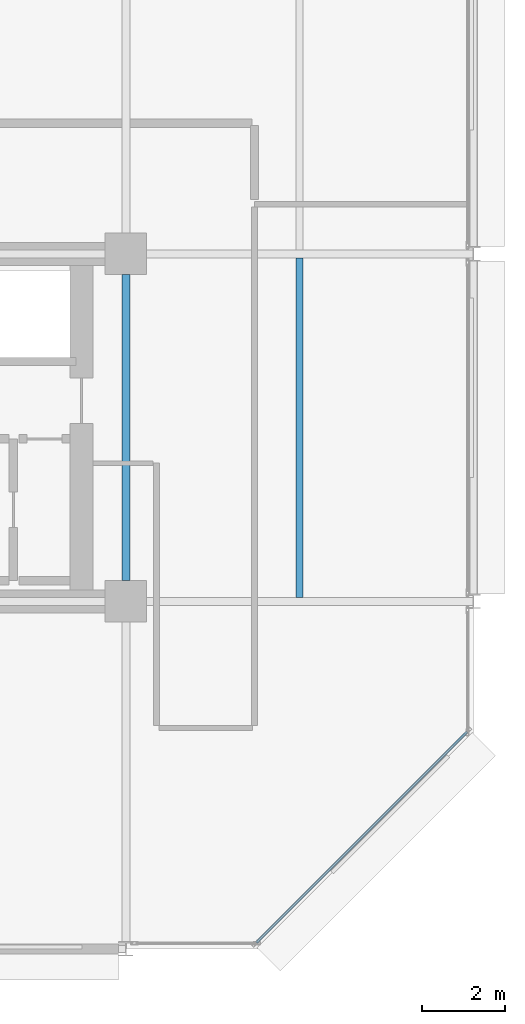
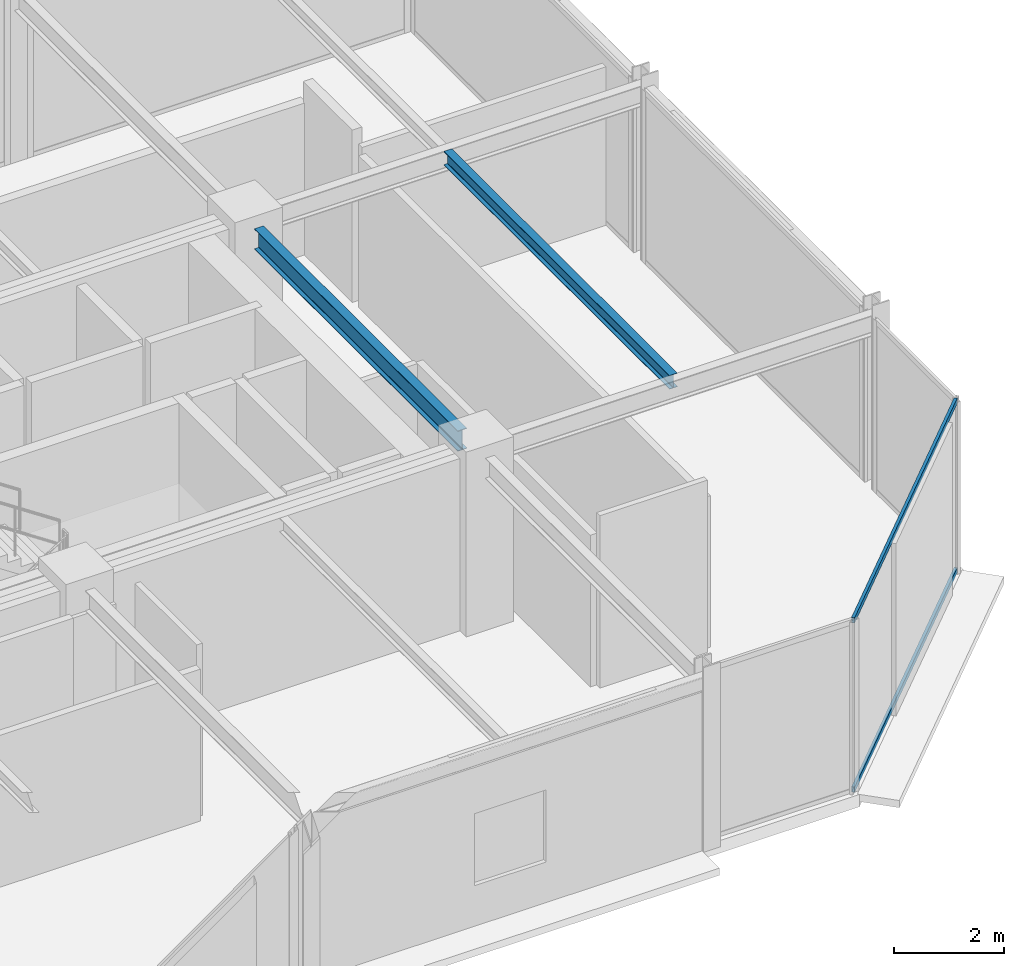
# One storey, part 12 of 29: 2 beams, 2 members, 1 element without a shape of its own.
"""IFC4 building model written with IfcOpenShell, lengths in metres."""

import ifcopenshell
import ifcopenshell.guid

model = None  # the IFC model being written
_history = None  # IfcOwnerHistory: only IFC2X3 demands one
_inside = {}  # id of a spatial element -> (the spatial element, [elements in it])
_under = {}  # id of a project, library or spatial element -> (it, [spatial elements below it])
_declared = {}  # id of a project -> (the project, [libraries it declares])
_typed = {}  # id of a type object -> (the type object, [elements of that type])
_made_of = {}  # id of a material, layer set ... -> (it, [elements and type objects made of it])


def new_model(schema):
    """Start an empty IFC model of exactly this schema.

    Asked for "IFC4X3", IfcOpenShell would pick the latest addendum, in which some entities
    have other attributes; the version numbers below select the first issue.
    IFC2X3 requires an IfcOwnerHistory on every rooted entity: one is made here for all.
    """
    global model, _history
    if schema == "IFC4X3":
        model = ifcopenshell.file(schema_version=(4, 3, 0, 0))
    else:
        model = ifcopenshell.file(schema=schema)
    _inside.clear()
    _under.clear()
    _declared.clear()
    _typed.clear()
    _made_of.clear()
    _history = None
    if model.schema == "IFC2X3":
        org = make("IfcOrganization", Name="unknown")
        user = make(
            "IfcPersonAndOrganization",
            ThePerson=make("IfcPerson", FamilyName="unknown"),
            TheOrganization=org,
        )
        app = make(
            "IfcApplication",
            ApplicationDeveloper=org,
            Version="unknown",
            ApplicationFullName="unknown",
            ApplicationIdentifier="unknown",
        )
        _history = make(
            "IfcOwnerHistory",
            OwningUser=user,
            OwningApplication=app,
            ChangeAction="ADDED",
            CreationDate=0,
        )
    return model


def make(cls, **values):
    """One entity of the class cls with the attributes given. An attribute that is None is left unset."""
    return model.create_entity(
        cls, **{name: value for name, value in values.items() if value is not None}
    )


def rooted(cls, **values):
    """An entity with a GlobalId (a new one), such as an element, a storey or a relation."""
    return make(cls, GlobalId=ifcopenshell.guid.new(), OwnerHistory=_history, **values)


def si_unit(unit_type, name, prefix=None):
    """IfcSIUnit, for example si_unit("LENGTHUNIT", "METRE", prefix="MILLI")."""
    return make("IfcSIUnit", UnitType=unit_type, Prefix=prefix, Name=name)


def assignment(units):
    """IfcUnitAssignment: the units of a project."""
    return None if units is None else make("IfcUnitAssignment", Units=units)


def point(xyz):
    """IfcCartesianPoint."""
    return None if xyz is None else make("IfcCartesianPoint", Coordinates=xyz)


def direction(xyz):
    """IfcDirection."""
    return None if xyz is None else make("IfcDirection", DirectionRatios=xyz)


def frame(location, z_axis=None, x_axis=None):
    """IfcAxis2Placement3D, a coordinate frame: its origin and axes. An axis left out is left unset."""
    return make(
        "IfcAxis2Placement3D",
        Location=point(location),
        Axis=direction(z_axis),
        RefDirection=direction(x_axis),
    )


def frame_2d(location, x_axis=None):
    """IfcAxis2Placement2D, a coordinate frame in the plane: its origin and x axis."""
    return make(
        "IfcAxis2Placement2D", Location=point(location), RefDirection=direction(x_axis)
    )


def origin():
    """The frame at (0, 0, 0) with its axes left unset."""
    return frame((0.0, 0.0, 0.0))


def origin_2d():
    """The frame at (0, 0) in the plane with its x axis left unset."""
    return frame_2d((0.0, 0.0))


def place(relative_to, where):
    """IfcLocalPlacement: puts the frame where relative to a parent placement (None: the world)."""
    return make(
        "IfcLocalPlacement", PlacementRelTo=relative_to, RelativePlacement=where
    )


def context(
    kind, dimensions, precision=None, world=None, true_north=None, identifier=None
):
    """IfcGeometricRepresentationContext, for example the 3D "Model" context."""
    return make(
        "IfcGeometricRepresentationContext",
        ContextIdentifier=identifier,
        ContextType=kind,
        CoordinateSpaceDimension=dimensions,
        Precision=precision,
        WorldCoordinateSystem=world,
        TrueNorth=true_north,
    )


def subcontext(parent, identifier, kind, view, scale=None):
    """IfcGeometricRepresentationSubContext, for example "Body" below "Model"."""
    return make(
        "IfcGeometricRepresentationSubContext",
        ContextIdentifier=identifier,
        ContextType=kind,
        ParentContext=parent,
        TargetScale=scale,
        TargetView=view,
    )


def project(units=None, contexts=None):
    """IfcProject with its units and contexts."""
    return rooted(
        "IfcProject",
        Name="project",
        RepresentationContexts=contexts,
        UnitsInContext=assignment(units),
    )


def spatial(cls, under=None, at=None, **own):
    """A site, building, storey or space (cls), placed at a placement, below another one or the project."""
    s = rooted(cls, ObjectPlacement=at, **own)
    if under is not None:
        _under.setdefault(under.id(), (under, []))[1].append(s)
    return s


def profile(cls, at=None, kind="AREA", **sizes):
    """A parametric profile (cls). Its sizes go by their IFC names, for example OverallWidth=200.0."""
    return make(cls, ProfileType=kind, Position=at, **sizes)


def hollow_rectangle(**sizes):
    """IfcRectangleHollowProfileDef."""
    return profile("IfcRectangleHollowProfileDef", **sizes)


def i_section(**sizes):
    """IfcIShapeProfileDef."""
    return profile("IfcIShapeProfileDef", **sizes)


def extrude(swept, where, along, depth):
    """IfcExtrudedAreaSolid: the profile swept, set in the frame where, extruded along a direction by depth."""
    return make(
        "IfcExtrudedAreaSolid",
        SweptArea=swept,
        Position=where,
        ExtrudedDirection=direction(along),
        Depth=depth,
    )


def shape(context_of_items, identifier, shape_type, items):
    """IfcShapeRepresentation: the items that make up one representation, for example the "Body"."""
    return make(
        "IfcShapeRepresentation",
        ContextOfItems=context_of_items,
        RepresentationIdentifier=identifier,
        RepresentationType=shape_type,
        Items=items,
    )


def material(Name=None, Category=None):
    """IfcMaterial."""
    return make("IfcMaterial", Name=Name, Category=Category)


def layer(
    of_material, thickness, ventilated=None, Name=None, Category=None, Priority=None
):
    """IfcMaterialLayer: one layer of a wall or slab, of a material (None: an air gap)."""
    return make(
        "IfcMaterialLayer",
        Material=of_material,
        LayerThickness=thickness,
        IsVentilated=ventilated,
        Name=Name,
        Category=Category,
        Priority=Priority,
    )


def layer_set(layers, Name=None):
    """IfcMaterialLayerSet."""
    return make("IfcMaterialLayerSet", MaterialLayers=layers, LayerSetName=Name)


def material_profile(
    of_material, cross_section, Name=None, Category=None, Priority=None
):
    """IfcMaterialProfile: a cross section and its material."""
    return make(
        "IfcMaterialProfile",
        Name=Name,
        Material=of_material,
        Profile=cross_section,
        Priority=Priority,
        Category=Category,
    )


def profile_set(profiles, Name=None, composite=None):
    """IfcMaterialProfileSet."""
    return make(
        "IfcMaterialProfileSet",
        Name=Name,
        MaterialProfiles=profiles,
        CompositeProfile=composite,
    )


def made_of(thing, what):
    """Note that an element or type object is made of a material, layer set ...; save() writes the relation."""
    if what is not None:
        _made_of.setdefault(what.id(), (what, []))[1].append(thing)
    return thing


def type_object(cls, material=None, **own):
    """A type object (cls), such as IfcWallType, which elements share."""
    return made_of(rooted(cls, **own), material)


def element(
    cls,
    number,
    at=None,
    inside=None,
    cuts=None,
    type_object=None,
    material=None,
    context=None,
    identifier="Body",
    shape_type=None,
    held_by="IfcProductDefinitionShape",
    body=None,
    shapes=None,
    **own,
):
    """One element of the class cls, such as IfcWall. Its Tag is "e" and its number.

    at: its placement. inside: the storey or other place that contains it. cuts: it is an
    opening in that element (IfcRelVoidsElement). A single representation is given by context,
    identifier, shape_type and body (its items); several are given by shapes. held_by: the class
    of the entity that holds the representations. save() writes the other relations.
    """
    e = rooted(cls, Tag="e%d" % number, ObjectPlacement=at, **own)
    if body is not None:
        shapes = [shape(context, identifier, shape_type, body)]
    if shapes is not None:
        e.Representation = make(held_by, Representations=shapes)
    if inside is not None:
        _inside.setdefault(inside.id(), (inside, []))[1].append(e)
    if cuts is not None:
        rooted(
            "IfcRelVoidsElement", RelatingBuildingElement=cuts, RelatedOpeningElement=e
        )
    if type_object is not None:
        _typed.setdefault(type_object.id(), (type_object, []))[1].append(e)
    return made_of(e, material)


def aggregate(whole, parts):
    """IfcRelAggregates: a whole, such as a stair, and the parts it consists of."""
    return rooted("IfcRelAggregates", RelatingObject=whole, RelatedObjects=parts)


def save(model, path):
    """Write the relations noted so far, then the file.

    IfcRelAggregates (storeys below a building ...), IfcRelContainedInSpatialStructure (elements
    in a storey), IfcRelDefinesByType, IfcRelAssociatesMaterial and IfcRelDeclares: one each for
    every whole, place, type object, material and project.
    """
    for whole, parts in _under.values():
        aggregate(whole, parts)
    for where, things in _inside.values():
        rooted(
            "IfcRelContainedInSpatialStructure",
            RelatedElements=things,
            RelatingStructure=where,
        )
    for kind, things in _typed.values():
        rooted("IfcRelDefinesByType", RelatedObjects=things, RelatingType=kind)
    for what, things in _made_of.values():
        rooted("IfcRelAssociatesMaterial", RelatedObjects=things, RelatingMaterial=what)
    for by, libraries in _declared.values():
        rooted("IfcRelDeclares", RelatingContext=by, RelatedDefinitions=libraries)
    model.write(path)


model = new_model("IFC4")

# Units and contexts
model_context = context("Model", 3, precision=1e-05, world=origin(), true_north=direction((0.0, 1.0)))
body_context = subcontext(model_context, "Body", "Model", "MODEL_VIEW")
ifc_project = project(units=[si_unit("LENGTHUNIT", "METRE"), si_unit("AREAUNIT", "SQUARE_METRE"), si_unit("VOLUMEUNIT", "CUBIC_METRE"), si_unit("PLANEANGLEUNIT", "RADIAN"), si_unit("MASSUNIT", "GRAM", prefix="KILO")], contexts=[model_context])

# Site, building, storey
site_placement = place(None, origin())
site = spatial("IfcSite", under=ifc_project, at=site_placement, CompositionType="ELEMENT")
building_placement = place(site_placement, origin())
building = spatial("IfcBuilding", under=site, at=building_placement, Name="Nerrivon Quay Data Exchange", CompositionType="ELEMENT")
storey_placement = place(building_placement, frame((0.0, 0.0, 179.60009765625)))
storey = spatial("IfcBuildingStorey", under=building, at=storey_placement, Name="L42", CompositionType="ELEMENT", Elevation=179.60009765625)

# Beams
ifc_material_1 = material(Name="Steel Grade 350", Category="steel")
ifc_material_profile_1 = material_profile(ifc_material_1, i_section(OverallWidth=0.18994140625, OverallDepth=0.4541015625, WebThickness=0.008544921875, FlangeThickness=0.0126953125, FilletRadius=0.011474609375, at=origin_2d()), Name="460UB67.1")
ifc_profile_set_1 = profile_set([ifc_material_profile_1], Name="Steel Grade 350")
beam_type_1 = type_object("IfcBeamType", Name="BM-G6-460UB67", PredefinedType="BEAM", material=ifc_profile_set_1)
beam_1_placement = place(storey_placement, frame((33.60009765625, 8.89990234375, 3.597900390625), z_axis=(0.0, 1.0, 0.0), x_axis=(-1.0, 0.0, 0.0)))
element("IfcBeam", 1, at=beam_1_placement, inside=storey, type_object=beam_type_1, Name="L42 NS Girder X=33.6 (8.4..16.8)", PredefinedType="BEAM", context=body_context, shape_type="SweptSolid", body=[
    extrude(i_section(OverallWidth=0.18994140625, OverallDepth=0.4541015625, WebThickness=0.008544921875, FlangeThickness=0.0126953125, FilletRadius=0.011474609375, at=origin_2d()), origin(), (0.0, 0.0, 1.0), 7.400146484375),
])
ifc_material_profile_2 = material_profile(ifc_material_1, i_section(OverallWidth=0.166015625, OverallDepth=0.306884765625, WebThickness=0.006591796875, FlangeThickness=0.01171875, FilletRadius=0.011474609375, at=origin_2d()), Name="310UB46.2")
ifc_profile_set_2 = profile_set([ifc_material_profile_2], Name="Steel Grade 350")
beam_type_2 = type_object("IfcBeamType", Name="BM-J5-310UB46", PredefinedType="JOIST", material=ifc_profile_set_2)
beam_2_placement = place(storey_placement, frame((37.800048828125, 8.49560546875, 3.67138671875), z_axis=(0.0, 1.0, 0.0), x_axis=(-1.0, 0.0, 0.0)))
element("IfcBeam", 2, at=beam_2_placement, inside=storey, type_object=beam_type_2, Name="L42 Secondary Joist X=37.8 (8.4..16.8)", PredefinedType="JOIST", context=body_context, shape_type="SweptSolid", body=[
    extrude(i_section(OverallWidth=0.166015625, OverallDepth=0.306884765625, WebThickness=0.006591796875, FlangeThickness=0.01171875, FilletRadius=0.011474609375, at=origin_2d()), origin(), (0.0, 0.0, 1.0), 8.208984375),
])

# Curtain wall, members
ifc_material_2 = material(Name="Anodised aluminium 6063-T6", Category="aluminium")
ifc_layer = layer(ifc_material_2, 0.195068359375)
ifc_layer_set = layer_set([ifc_layer], Name="Anodised aluminium 6063-T6")
curtain_wall_type = type_object("IfcCurtainWallType", Name="CW-SYS-06", PredefinedType="NOTDEFINED", material=ifc_layer_set)
curtain_wall_placement = place(storey_placement, origin())
curtain_wall = element("IfcCurtainWall", 3, at=curtain_wall_placement, inside=storey, type_object=curtain_wall_type, Name="L42 Unitised Curtain Wall 21", PredefinedType="NOTDEFINED")
ifc_material_profile_3 = material_profile(ifc_material_2, hollow_rectangle(XDim=0.06005859375, YDim=0.1201171875, WallThickness=0.003173828125, at=origin_2d()), Name="ALU-TRAN-120x60")
ifc_profile_set_3 = profile_set([ifc_material_profile_3], Name="Anodised aluminium 6063-T6")
member_type = type_object("IfcMemberType", Name="CWT-120x60", PredefinedType="USERDEFINED", material=ifc_profile_set_3)
member_1_placement = place(storey_placement, frame((41.847900390625, 5.245849609375, 0.032470703125), z_axis=(-0.707106781187, -0.707106781187, 0.0), x_axis=(0.707106781187, -0.707106781187, 0.0)))
member_1 = element("IfcMember", 4, at=member_1_placement, type_object=member_type, Name="CW06 transom 1.1", ObjectType="TRANSOM", PredefinedType="USERDEFINED", context=body_context, shape_type="SweptSolid", body=[
    extrude(hollow_rectangle(XDim=0.06005859375, YDim=0.1201171875, WallThickness=0.003173828125, at=origin_2d()), origin(), (0.0, 0.0, 1.0), 7.20361328125),
])
member_2_placement = place(storey_placement, frame((41.847900390625, 5.245849609375, 3.79248046875), z_axis=(-0.707106781187, -0.707106781187, 0.0), x_axis=(0.707106781187, -0.707106781187, 0.0)))
member_2 = element("IfcMember", 5, at=member_2_placement, type_object=member_type, Name="CW06 transom 1.2", ObjectType="TRANSOM", PredefinedType="USERDEFINED", context=body_context, shape_type="SweptSolid", body=[
    extrude(hollow_rectangle(XDim=0.06005859375, YDim=0.1201171875, WallThickness=0.003173828125, at=origin_2d()), origin(), (0.0, 0.0, 1.0), 7.20361328125),
])
aggregate(curtain_wall, [member_1, member_2])

save(model, "model.ifc")
